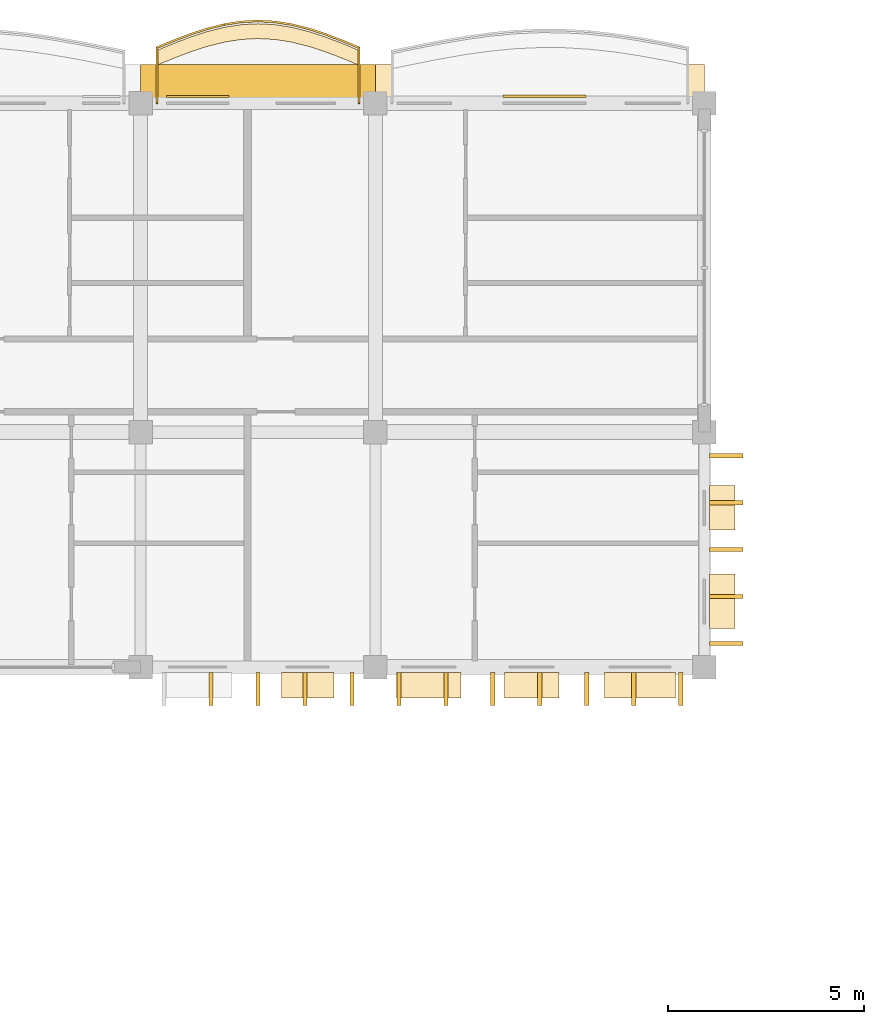
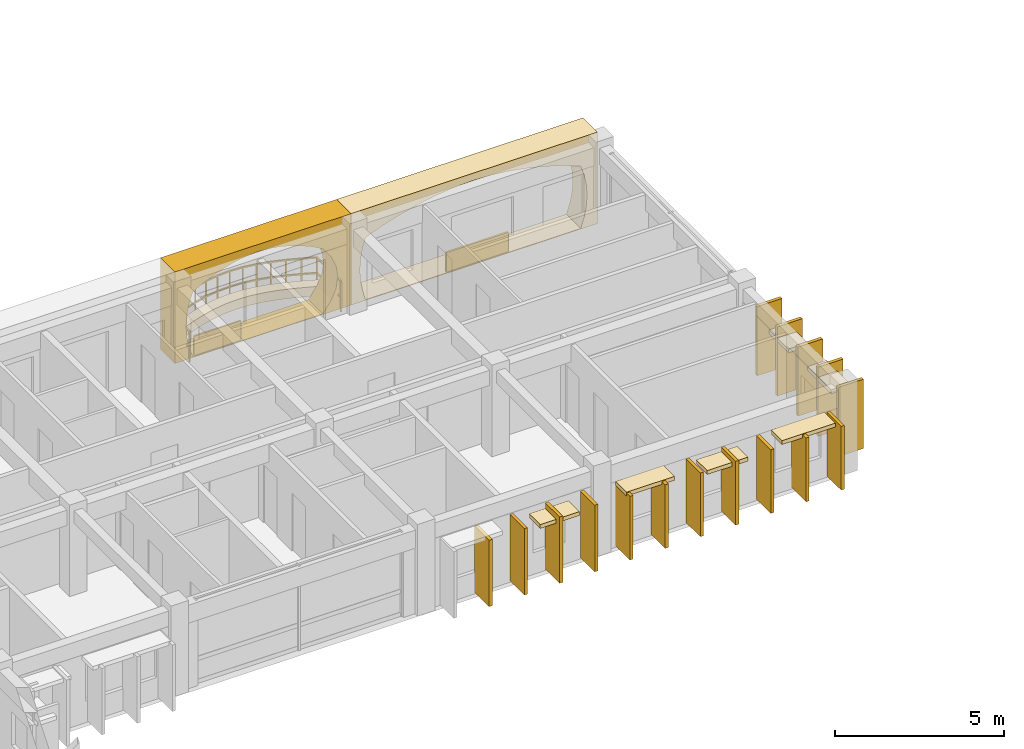
# One storey, part 56 of 68: 27 coverings, 1 railing.
"""IFC4 building model written with IfcOpenShell, lengths in metres."""

from ifc_helpers import new_model, si_unit, direction, frame, origin, origin_2d, place, context, subcontext, project, spatial, polyline, rectangle, outline, extrude, material, layer, layer_set, type_object, element, save


model = new_model("IFC4")

# Units and contexts
model_context = context("Model", 3, precision=1e-05, world=origin(), true_north=direction((0.0, 1.0)))
body_context = subcontext(model_context, "Body", "Model", "MODEL_VIEW")
ifc_project = project(units=[si_unit("LENGTHUNIT", "METRE"), si_unit("AREAUNIT", "SQUARE_METRE"), si_unit("VOLUMEUNIT", "CUBIC_METRE"), si_unit("PLANEANGLEUNIT", "RADIAN"), si_unit("MASSUNIT", "GRAM", prefix="KILO"), si_unit("THERMODYNAMICTEMPERATUREUNIT", "KELVIN")], contexts=[model_context])

# Site, building, storey
site_placement = place(None, origin())
site = spatial("IfcSite", under=ifc_project, at=site_placement, CompositionType="ELEMENT")
building_placement = place(site_placement, origin())
building = spatial("IfcBuilding", under=site, at=building_placement, Name="Thalorik Housing Commons", CompositionType="ELEMENT")
storey_placement = place(building_placement, frame((0.0, 0.0, 24.60009765625)))
storey = spatial("IfcBuildingStorey", under=building, at=storey_placement, Name="L07", CompositionType="ELEMENT", Elevation=24.60009765625)

# Coverings
ifc_material_1 = material(Name="Precast concrete C40/50", Category="concrete")
ifc_layer_1 = layer(ifc_material_1, 0.85009765625, Name="Precast concrete C40/50", Category="concrete")
ifc_layer_set_1 = layer_set([ifc_layer_1], Name="Precast concrete C40/50")
covering_type_1 = type_object("IfcCoveringType", Name="ARC-CLD-CUSH-850", PredefinedType="CLADDING", material=ifc_layer_set_1)
covering_1_placement = place(storey_placement, frame((47.39990234375, 124.16259765625, 0.0), z_axis=(0.0, 0.0, 1.0), x_axis=(-1.0, 0.0, 0.0)))
element("IfcCovering", 1, at=covering_1_placement, inside=storey, type_object=covering_type_1, Name="L07 White Precast Curved Cushion Bay Frame 759", PredefinedType="CLADDING", context=body_context, shape_type="SweptSolid", body=[
    extrude(outline(polyline([(-4.199951171875, 0.0), (4.199951171875, 0.0), (4.199951171875, 3.300048828125), (-4.199951171875, 3.300048828125), (-4.199951171875, 0.0)]), holes=[polyline([(3.70361328125, 0.02490234375), (3.808349609375, 0.399169921875), (3.871337890625, 0.773193359375), (3.89208984375, 1.1474609375), (3.871337890625, 1.521728515625), (3.808349609375, 1.895751953125), (3.70361328125, 2.27001953125), (3.092529296875, 2.50439453125), (2.481201171875, 2.6884765625), (1.8701171875, 2.837646484375), (1.259033203125, 2.948486328125), (0.64794921875, 3.016845703125), (0.036865234375, 3.0400390625), (-0.57421875, 3.016845703125), (-1.185546875, 2.948486328125), (-1.796630859375, 2.837646484375), (-2.40771484375, 2.6884765625), (-3.018798828125, 2.50439453125), (-3.6298828125, 2.27001953125), (-3.750244140625, 1.895751953125), (-3.822509765625, 1.521728515625), (-3.8466796875, 1.1474609375), (-3.822509765625, 0.773193359375), (-3.750244140625, 0.399169921875), (-3.6298828125, 0.02490234375), (3.70361328125, 0.02490234375)])]), frame((0.0, 0.425048828125, 0.0), z_axis=(0.0, -1.0, 0.0), x_axis=(1.0, 0.0, 0.0)), (0.0, 0.0, 1.0), 0.85009765625),
])
covering_2_placement = place(storey_placement, frame((40.199951171875, 124.16259765625, 0.0), z_axis=(0.0, 0.0, 1.0), x_axis=(-1.0, 0.0, 0.0)))
element("IfcCovering", 2, at=covering_2_placement, inside=storey, type_object=covering_type_1, Name="L07 White Precast Curved Cushion Bay Frame 761", PredefinedType="CLADDING", context=body_context, shape_type="SweptSolid", body=[
    extrude(outline(polyline([(-3.0, 0.0), (3.0, 0.0), (3.0, 3.300048828125), (-3.0, 3.300048828125), (-3.0, 0.0)]), holes=[polyline([(2.389892578125, 0.02490234375), (2.518798828125, 0.415771484375), (2.595947265625, 0.806640625), (2.621826171875, 1.197509765625), (2.595947265625, 1.58837890625), (2.518798828125, 1.979248046875), (2.389892578125, 2.3701171875), (2.020751953125, 2.573974609375), (1.651611328125, 2.734130859375), (1.282470703125, 2.864013671875), (0.913330078125, 2.960205078125), (0.544189453125, 3.02001953125), (0.175048828125, 3.0400390625), (-0.194091796875, 3.02001953125), (-0.563232421875, 2.960205078125), (-0.9326171875, 2.864013671875), (-1.3017578125, 2.734130859375), (-1.6708984375, 2.573974609375), (-2.0400390625, 2.3701171875), (-2.3232421875, 1.979248046875), (-2.493408203125, 1.58837890625), (-2.550048828125, 1.197509765625), (-2.493408203125, 0.806640625), (-2.3232421875, 0.415771484375), (-2.0400390625, 0.02490234375), (2.389892578125, 0.02490234375)])]), frame((0.0, 0.425048828125, 0.0), z_axis=(0.0, -1.0, 0.0), x_axis=(1.0, 0.0, 0.0)), (0.0, 0.0, 1.0), 0.85009765625),
])
ifc_layer_2 = layer(ifc_material_1, 0.85009765625, Name="Precast concrete C40/50", Category="concrete")
ifc_layer_set_2 = layer_set([ifc_layer_2], Name="Precast concrete C40/50")
covering_type_2 = type_object("IfcCoveringType", Name="ARC-CLD-FIN-850", PredefinedType="CLADDING", material=ifc_layer_set_2)
for number, where, z_axis, x_axis, name in (
    (3, (39.0, 108.637451171875, 0.039794921875), (0.0, 0.0, 1.0), (1.0, 0.0, 0.0), "L07 Courtyard Precast Vertical Brise-Soleil Fin 736"),
    (4, (40.199951171875, 108.637451171875, 0.039794921875), (0.0, 0.0, 1.0), (1.0, 0.0, 0.0), "L07 Courtyard Precast Vertical Brise-Soleil Fin 737"),
    (5, (41.39990234375, 108.637451171875, 0.039794921875), (0.0, 0.0, 1.0), (1.0, 0.0, 0.0), "L07 Courtyard Precast Vertical Brise-Soleil Fin 738"),
    (6, (42.60009765625, 108.637451171875, 0.039794921875), (0.0, 0.0, 1.0), (1.0, 0.0, 0.0), "L07 Courtyard Precast Vertical Brise-Soleil Fin 739"),
):
    element("IfcCovering", number, at=place(storey_placement, frame(where, z_axis=z_axis, x_axis=x_axis)), inside=storey, type_object=covering_type_2, Name=name, PredefinedType="CLADDING", context=body_context, shape_type="SweptSolid", body=[
        extrude(rectangle(XDim=0.110107421875, YDim=0.85009765625, at=origin_2d()), origin(), (0.0, 0.0, 1.0), 2.39501953125),
    ])
for number, where, z_axis, x_axis, name in (
    (7, (43.800048828125, 108.637451171875, 0.0400390625), (0.0, 0.0, 1.0), (1.0, 0.0, 0.0), "L07 Courtyard Precast Vertical Brise-Soleil Fin 742"),
    (8, (45.0, 108.637451171875, 0.0400390625), (0.0, 0.0, 1.0), (1.0, 0.0, 0.0), "L07 Courtyard Precast Vertical Brise-Soleil Fin 743"),
    (9, (46.199951171875, 108.637451171875, 0.0400390625), (0.0, 0.0, 1.0), (1.0, 0.0, 0.0), "L07 Courtyard Precast Vertical Brise-Soleil Fin 744"),
    (10, (47.39990234375, 108.637451171875, 0.0400390625), (0.0, 0.0, 1.0), (1.0, 0.0, 0.0), "L07 Courtyard Precast Vertical Brise-Soleil Fin 745"),
    (11, (48.60009765625, 108.637451171875, 0.0400390625), (0.0, 0.0, 1.0), (1.0, 0.0, 0.0), "L07 Courtyard Precast Vertical Brise-Soleil Fin 746"),
    (12, (49.800048828125, 108.637451171875, 0.0400390625), (0.0, 0.0, 1.0), (1.0, 0.0, 0.0), "L07 Courtyard Precast Vertical Brise-Soleil Fin 747"),
    (13, (51.0, 108.637451171875, 0.0400390625), (0.0, 0.0, 1.0), (1.0, 0.0, 0.0), "L07 Courtyard Precast Vertical Brise-Soleil Fin 748"),
):
    element("IfcCovering", number, at=place(storey_placement, frame(where, z_axis=z_axis, x_axis=x_axis)), inside=storey, type_object=covering_type_2, Name=name, PredefinedType="CLADDING", context=body_context, shape_type="SweptSolid", body=[
        extrude(rectangle(XDim=0.110107421875, YDim=0.85009765625, at=origin_2d()), origin(), (0.0, 0.0, 1.0), 2.294921875),
    ])
for number, where, z_axis, x_axis, name in (
    (14, (52.16259765625, 109.800048828125, 0.039794921875), (0.0, 0.0, 1.0), (0.0, 1.0, 0.0), "L07 Courtyard Precast Vertical Brise-Soleil Fin 752"),
    (15, (52.16259765625, 111.0, 0.039794921875), (0.0, 0.0, 1.0), (0.0, 1.0, 0.0), "L07 Courtyard Precast Vertical Brise-Soleil Fin 753"),
    (16, (52.16259765625, 112.199951171875, 0.039794921875), (0.0, 0.0, 1.0), (0.0, 1.0, 0.0), "L07 Courtyard Precast Vertical Brise-Soleil Fin 754"),
    (17, (52.16259765625, 113.39990234375, 0.039794921875), (0.0, 0.0, 1.0), (0.0, 1.0, 0.0), "L07 Courtyard Precast Vertical Brise-Soleil Fin 755"),
    (18, (52.16259765625, 114.60009765625, 0.039794921875), (0.0, 0.0, 1.0), (0.0, 1.0, 0.0), "L07 Courtyard Precast Vertical Brise-Soleil Fin 756"),
):
    element("IfcCovering", number, at=place(storey_placement, frame(where, z_axis=z_axis, x_axis=x_axis)), inside=storey, type_object=covering_type_2, Name=name, PredefinedType="CLADDING", context=body_context, shape_type="SweptSolid", body=[
        extrude(rectangle(XDim=0.110107421875, YDim=0.85009765625, at=origin_2d()), origin(), (0.0, 0.0, 1.0), 2.4951171875),
    ])
ifc_layer_3 = layer(ifc_material_1, 0.64990234375, Name="Precast concrete C40/50", Category="concrete")
ifc_layer_set_3 = layer_set([ifc_layer_3], Name="Precast concrete C40/50")
covering_type_3 = type_object("IfcCoveringType", Name="ARC-CLD-HOOD-650", PredefinedType="CLADDING", material=ifc_layer_set_3)
covering_3_placement = place(storey_placement, frame((41.469970703125, 108.737548828125, 2.08984375), z_axis=(0.0, 0.0, 1.0), x_axis=(1.0, 0.0, 0.0)))
element("IfcCovering", 19, at=covering_3_placement, inside=storey, type_object=covering_type_3, Name="L07 Courtyard Precast Window Sun-Hood 741", PredefinedType="CLADDING", context=body_context, shape_type="SweptSolid", body=[
    extrude(rectangle(XDim=1.340087890625, YDim=0.64990234375, at=origin_2d()), origin(), (0.0, 0.0, 1.0), 0.139892578125),
])
covering_4_placement = place(storey_placement, frame((44.5625, 108.737548828125, 2.22509765625), z_axis=(0.0, 0.0, 1.0), x_axis=(1.0, 0.0, 0.0)))
element("IfcCovering", 20, at=covering_4_placement, inside=storey, type_object=covering_type_3, Name="L07 Courtyard Precast Window Sun-Hood 749", PredefinedType="CLADDING", context=body_context, shape_type="SweptSolid", body=[
    extrude(rectangle(XDim=1.639892578125, YDim=0.64990234375, at=origin_2d()), origin(), (0.0, 0.0, 1.0), 0.139892578125),
])
covering_5_placement = place(storey_placement, frame((47.188720703125, 108.737548828125, 2.0400390625), z_axis=(0.0, 0.0, 1.0), x_axis=(1.0, 0.0, 0.0)))
element("IfcCovering", 21, at=covering_5_placement, inside=storey, type_object=covering_type_3, Name="L07 Courtyard Precast Window Sun-Hood 750", PredefinedType="CLADDING", context=body_context, shape_type="SweptSolid", body=[
    extrude(rectangle(XDim=1.389892578125, YDim=0.64990234375, at=origin_2d()), origin(), (0.0, 0.0, 1.0), 0.139892578125),
])
covering_6_placement = place(storey_placement, frame((49.956298828125, 108.737548828125, 2.22509765625), z_axis=(0.0, 0.0, 1.0), x_axis=(1.0, 0.0, 0.0)))
element("IfcCovering", 22, at=covering_6_placement, inside=storey, type_object=covering_type_3, Name="L07 Courtyard Precast Window Sun-Hood 751", PredefinedType="CLADDING", context=body_context, shape_type="SweptSolid", body=[
    extrude(rectangle(XDim=1.820068359375, YDim=0.64990234375, at=origin_2d()), origin(), (0.0, 0.0, 1.0), 0.139892578125),
])
covering_7_placement = place(storey_placement, frame((52.0625, 110.87548828125, 2.0400390625), z_axis=(0.0, 0.0, 1.0), x_axis=(0.0, 1.0, 0.0)))
element("IfcCovering", 23, at=covering_7_placement, inside=storey, type_object=covering_type_3, Name="L07 Courtyard Precast Window Sun-Hood 757", PredefinedType="CLADDING", context=body_context, shape_type="SweptSolid", body=[
    extrude(rectangle(XDim=1.389892578125, YDim=0.64990234375, at=origin_2d()), origin(), (0.0, 0.0, 1.0), 0.139892578125),
])
covering_8_placement = place(storey_placement, frame((52.0625, 113.26513671875, 1.98974609375), z_axis=(0.0, 0.0, 1.0), x_axis=(0.0, 1.0, 0.0)))
element("IfcCovering", 24, at=covering_8_placement, inside=storey, type_object=covering_type_3, Name="L07 Courtyard Precast Window Sun-Hood 758", PredefinedType="CLADDING", context=body_context, shape_type="SweptSolid", body=[
    extrude(rectangle(XDim=1.139892578125, YDim=0.64990234375, at=origin_2d()), origin(), (0.0, 0.0, 1.0), 0.139892578125),
])
ifc_material_2 = material(Name="Terracotta red mineral fibre-cement panel", Category="masonry")
ifc_layer_4 = layer(ifc_material_2, 0.054931640625, Name="Terracotta red mineral fibre-cement panel", Category="masonry")
ifc_layer_set_4 = layer_set([ifc_layer_4], Name="Terracotta red mineral fibre-cement panel")
covering_type_4 = type_object("IfcCoveringType", Name="ARC-CLD-RED-55", PredefinedType="CLADDING", material=ifc_layer_set_4)
covering_9_placement = place(storey_placement, frame((38.659912109375, 123.77001953125, 0.0498046875), z_axis=(0.0, 0.0, 1.0), x_axis=(-1.0, 0.0, 0.0)))
element("IfcCovering", 25, at=covering_9_placement, inside=storey, type_object=covering_type_4, Name="L07 De Stijl Recessed Window Spandrel 762", PredefinedType="CLADDING", context=body_context, shape_type="SweptSolid", body=[
    extrude(rectangle(XDim=1.60009765625, YDim=0.054931640625, at=origin_2d()), origin(), (0.0, 0.0, 1.0), 0.699951171875),
])
ifc_material_3 = material(Name="Mineral ochre architectural terracotta panel", Category="masonry")
ifc_layer_5 = layer(ifc_material_3, 0.06494140625, Name="Mineral ochre architectural terracotta panel", Category="masonry")
ifc_layer_set_5 = layer_set([ifc_layer_5], Name="Mineral ochre architectural terracotta panel")
covering_type_5 = type_object("IfcCoveringType", Name="ARC-CLD-YEL-65", PredefinedType="CLADDING", material=ifc_layer_set_5)
covering_10_placement = place(storey_placement, frame((47.516357421875, 123.77490234375, 0.0498046875), z_axis=(0.0, 0.0, 1.0), x_axis=(-1.0, 0.0, 0.0)))
element("IfcCovering", 26, at=covering_10_placement, inside=storey, type_object=covering_type_5, Name="L07 De Stijl Recessed Window Spandrel 760", PredefinedType="CLADDING", context=body_context, shape_type="SweptSolid", body=[
    extrude(rectangle(XDim=2.1201171875, YDim=0.06494140625, at=origin_2d()), origin(), (0.0, 0.0, 1.0), 0.699951171875),
])
ifc_material_4 = material(Name="Planted vegetated substrate and terracotta trough", Category="masonry")
ifc_layer_6 = layer(ifc_material_4, 0.340087890625, Name="Planted vegetated substrate and terracotta trough", Category="masonry")
ifc_layer_set_6 = layer_set([ifc_layer_6], Name="Planted vegetated substrate and terracotta trough")
covering_type_6 = type_object("IfcCoveringType", Name="ARC-COV-PLANTER", PredefinedType="USERDEFINED", material=ifc_layer_set_6)
covering_11_placement = place(storey_placement, origin())
element("IfcCovering", 27, at=covering_11_placement, inside=storey, type_object=covering_type_6, Name="L07 Balcony Slab-Edge Planted Trough 5366", ObjectType="PLANTER", PredefinedType="USERDEFINED", context=body_context, shape_type="SweptSolid", body=[
    extrude(outline(polyline([(42.780029296875, 124.9501953125), (42.35009765625, 125.127685546875), (41.919921875, 125.2919921875), (41.489990234375, 125.432373046875), (41.06005859375, 125.539794921875), (40.6298828125, 125.607177734375), (40.199951171875, 125.6298828125), (39.77001953125, 125.607177734375), (39.340087890625, 125.539794921875), (38.909912109375, 125.432373046875), (38.47998046875, 125.2919921875), (38.050048828125, 125.127685546875), (37.6201171875, 124.9501953125), (37.6201171875, 124.5703125), (38.050048828125, 124.747802734375), (38.47998046875, 124.912109375), (38.909912109375, 125.052490234375), (39.340087890625, 125.15966796875), (39.77001953125, 125.22705078125), (40.199951171875, 125.25), (40.6298828125, 125.22705078125), (41.06005859375, 125.15966796875), (41.489990234375, 125.052490234375), (41.919921875, 124.912109375), (42.35009765625, 124.747802734375), (42.780029296875, 124.5703125), (42.780029296875, 124.9501953125)])), origin(), (0.0, 0.0, 1.0), 0.33984375),
])

# Railing
ifc_material_5 = material(Name="Steel S355", Category="steel")
railing_type = type_object("IfcRailingType", Name="ARC-RL-BAL-112", PredefinedType="BALUSTRADE", material=ifc_material_5)
railing_placement = place(storey_placement, frame((42.780029296875, 123.60009765625, 0.0)))
element("IfcRailing", 28, at=railing_placement, inside=storey, type_object=railing_type, Name="L07 Cushion Balcony Guardrail 50", PredefinedType="BALUSTRADE", context=body_context, shape_type="SweptSolid", body=[
    extrude(rectangle(XDim=0.050048828125, YDim=0.050048828125, at=origin_2d()), frame((0.0, 0.0, 1.09521484375), z_axis=(0.0, 1.0, 0.0), x_axis=(-1.0, 0.0, 0.0)), (0.0, 0.0, 1.0), 1.420166015625),
    extrude(rectangle(XDim=0.050048828125, YDim=0.050048828125, at=origin_2d()), frame((0.0, 0.0, 0.53515625), z_axis=(0.0, 1.0, 0.0), x_axis=(-1.0, 0.0, 0.0)), (0.0, 0.0, 1.0), 1.420166015625),
    extrude(rectangle(XDim=0.050048828125, YDim=0.050048828125, at=origin_2d()), frame((0.0, 1.420166015625, 1.09521484375), z_axis=(-0.924329857015, 0.381594438416, 0.0), x_axis=(-0.381594438416, -0.924329857015, 0.0)), (0.0, 0.0, 1.0), 0.465087890625),
    extrude(rectangle(XDim=0.050048828125, YDim=0.050048828125, at=origin_2d()), frame((0.0, 1.420166015625, 0.53515625), z_axis=(-0.924329857015, 0.381594438416, 0.0), x_axis=(-0.381594438416, -0.924329857015, 0.0)), (0.0, 0.0, 1.0), 0.465087890625),
    extrude(rectangle(XDim=0.050048828125, YDim=0.050048828125, at=origin_2d()), frame((-0.429931640625, 1.59765625, 1.09521484375), z_axis=(-0.934176620096, 0.356810933782, 0.0), x_axis=(-0.356810933782, -0.934176620096, 0.0)), (0.0, 0.0, 1.0), 0.46044921875),
    extrude(rectangle(XDim=0.050048828125, YDim=0.050048828125, at=origin_2d()), frame((-0.429931640625, 1.59765625, 0.53515625), z_axis=(-0.934176620096, 0.356810933782, 0.0), x_axis=(-0.356810933782, -0.934176620096, 0.0)), (0.0, 0.0, 1.0), 0.46044921875),
    extrude(rectangle(XDim=0.050048828125, YDim=0.050048828125, at=origin_2d()), frame((-0.860107421875, 1.761962890625, 1.09521484375), z_axis=(-0.950608707094, 0.310391826564, 0.0), x_axis=(-0.310391826564, -0.950608707094, 0.0)), (0.0, 0.0, 1.0), 0.4521484375),
    extrude(rectangle(XDim=0.050048828125, YDim=0.050048828125, at=origin_2d()), frame((-0.860107421875, 1.761962890625, 0.53515625), z_axis=(-0.950608707094, 0.310391826564, 0.0), x_axis=(-0.310391826564, -0.950608707094, 0.0)), (0.0, 0.0, 1.0), 0.4521484375),
    extrude(rectangle(XDim=0.050048828125, YDim=0.050048828125, at=origin_2d()), frame((-1.2900390625, 1.90234375, 1.09521484375), z_axis=(-0.970304341289, 0.241887340049, 0.0), x_axis=(-0.241887340049, -0.970304341289, 0.0)), (0.0, 0.0, 1.0), 0.443115234375),
    extrude(rectangle(XDim=0.050048828125, YDim=0.050048828125, at=origin_2d()), frame((-1.2900390625, 1.90234375, 0.53515625), z_axis=(-0.970304341289, 0.241887340049, 0.0), x_axis=(-0.241887340049, -0.970304341289, 0.0)), (0.0, 0.0, 1.0), 0.443115234375),
    extrude(rectangle(XDim=0.050048828125, YDim=0.050048828125, at=origin_2d()), frame((-1.719970703125, 2.009521484375, 1.09521484375), z_axis=(-0.987953166111, 0.154753163364, 0.0), x_axis=(-0.154753163364, -0.987953166111, 0.0)), (0.0, 0.0, 1.0), 0.435302734375),
    extrude(rectangle(XDim=0.050048828125, YDim=0.050048828125, at=origin_2d()), frame((-1.719970703125, 2.009521484375, 0.53515625), z_axis=(-0.987953166111, 0.154753163364, 0.0), x_axis=(-0.154753163364, -0.987953166111, 0.0)), (0.0, 0.0, 1.0), 0.435302734375),
    extrude(rectangle(XDim=0.050048828125, YDim=0.050048828125, at=origin_2d()), frame((-2.150146484375, 2.076904296875, 1.09521484375), z_axis=(-0.998578391094, 0.053302878343, 0.0), x_axis=(-0.053302878343, -0.998578391094, 0.0)), (0.0, 0.0, 1.0), 0.4306640625),
    extrude(rectangle(XDim=0.050048828125, YDim=0.050048828125, at=origin_2d()), frame((-2.150146484375, 2.076904296875, 0.53515625), z_axis=(-0.998578391094, 0.053302878343, 0.0), x_axis=(-0.053302878343, -0.998578391094, 0.0)), (0.0, 0.0, 1.0), 0.4306640625),
    extrude(rectangle(XDim=0.050048828125, YDim=0.050048828125, at=origin_2d()), frame((-2.580078125, 2.099853515625, 1.09521484375), z_axis=(-0.998578391094, -0.053302878343, 0.0), x_axis=(0.053302878343, -0.998578391094, 0.0)), (0.0, 0.0, 1.0), 0.4306640625),
    extrude(rectangle(XDim=0.050048828125, YDim=0.050048828125, at=origin_2d()), frame((-2.580078125, 2.099853515625, 0.53515625), z_axis=(-0.998578391094, -0.053302878343, 0.0), x_axis=(0.053302878343, -0.998578391094, 0.0)), (0.0, 0.0, 1.0), 0.4306640625),
    extrude(rectangle(XDim=0.050048828125, YDim=0.050048828125, at=origin_2d()), frame((-3.010009765625, 2.076904296875, 1.09521484375), z_axis=(-0.987939727001, -0.154838935067, 0.0), x_axis=(0.154838935067, -0.987939727001, 0.0)), (0.0, 0.0, 1.0), 0.43505859375),
    extrude(rectangle(XDim=0.050048828125, YDim=0.050048828125, at=origin_2d()), frame((-3.010009765625, 2.076904296875, 0.53515625), z_axis=(-0.987939727001, -0.154838935067, 0.0), x_axis=(0.154838935067, -0.987939727001, 0.0)), (0.0, 0.0, 1.0), 0.43505859375),
    extrude(rectangle(XDim=0.050048828125, YDim=0.050048828125, at=origin_2d()), frame((-3.43994140625, 2.009521484375, 1.09521484375), z_axis=(-0.970336553959, -0.241758085805, 0.0), x_axis=(0.241758085805, -0.970336553959, 0.0)), (0.0, 0.0, 1.0), 0.443359375),
    extrude(rectangle(XDim=0.050048828125, YDim=0.050048828125, at=origin_2d()), frame((-3.43994140625, 2.009521484375, 0.53515625), z_axis=(-0.970336553959, -0.241758085805, 0.0), x_axis=(0.241758085805, -0.970336553959, 0.0)), (0.0, 0.0, 1.0), 0.443359375),
    extrude(rectangle(XDim=0.050048828125, YDim=0.050048828125, at=origin_2d()), frame((-3.8701171875, 1.90234375, 1.09521484375), z_axis=(-0.950608707094, -0.310391826564, 0.0), x_axis=(0.310391826564, -0.950608707094, 0.0)), (0.0, 0.0, 1.0), 0.4521484375),
    extrude(rectangle(XDim=0.050048828125, YDim=0.050048828125, at=origin_2d()), frame((-3.8701171875, 1.90234375, 0.53515625), z_axis=(-0.950608707094, -0.310391826564, 0.0), x_axis=(0.310391826564, -0.950608707094, 0.0)), (0.0, 0.0, 1.0), 0.4521484375),
    extrude(rectangle(XDim=0.050048828125, YDim=0.050048828125, at=origin_2d()), frame((-4.300048828125, 1.761962890625, 1.09521484375), z_axis=(-0.934109070597, -0.356987736804, 0.0), x_axis=(0.356987736804, -0.934109070597, 0.0)), (0.0, 0.0, 1.0), 0.460205078125),
    extrude(rectangle(XDim=0.050048828125, YDim=0.050048828125, at=origin_2d()), frame((-4.300048828125, 1.761962890625, 0.53515625), z_axis=(-0.934109070597, -0.356987736804, 0.0), x_axis=(0.356987736804, -0.934109070597, 0.0)), (0.0, 0.0, 1.0), 0.460205078125),
    extrude(rectangle(XDim=0.050048828125, YDim=0.050048828125, at=origin_2d()), frame((-4.72998046875, 1.59765625, 1.09521484375), z_axis=(-0.924329857015, -0.381594438416, 0.0), x_axis=(0.381594438416, -0.924329857015, 0.0)), (0.0, 0.0, 1.0), 0.465087890625),
    extrude(rectangle(XDim=0.050048828125, YDim=0.050048828125, at=origin_2d()), frame((-4.72998046875, 1.59765625, 0.53515625), z_axis=(-0.924329857015, -0.381594438416, 0.0), x_axis=(0.381594438416, -0.924329857015, 0.0)), (0.0, 0.0, 1.0), 0.465087890625),
    extrude(rectangle(XDim=0.050048828125, YDim=0.050048828125, at=origin_2d()), frame((-5.159912109375, 1.420166015625, 1.09521484375), z_axis=(0.0, -1.0, 0.0), x_axis=(1.0, 0.0, 0.0)), (0.0, 0.0, 1.0), 1.420166015625),
    extrude(rectangle(XDim=0.050048828125, YDim=0.050048828125, at=origin_2d()), frame((-5.159912109375, 1.420166015625, 0.53515625), z_axis=(0.0, -1.0, 0.0), x_axis=(1.0, 0.0, 0.0)), (0.0, 0.0, 1.0), 1.420166015625),
    extrude(rectangle(XDim=0.0419921875, YDim=0.0419921875, at=origin_2d()), origin(), (0.0, 0.0, 1.0), 1.070068359375),
    extrude(rectangle(XDim=0.0419921875, YDim=0.0419921875, at=origin_2d()), frame((0.0, 1.420166015625, 0.0)), (0.0, 0.0, 1.0), 1.070068359375),
    extrude(rectangle(XDim=0.0419921875, YDim=0.0419921875, at=origin_2d()), frame((-0.429931640625, 1.59765625, 0.0)), (0.0, 0.0, 1.0), 1.070068359375),
    extrude(rectangle(XDim=0.0419921875, YDim=0.0419921875, at=origin_2d()), frame((-0.860107421875, 1.761962890625, 0.0)), (0.0, 0.0, 1.0), 1.070068359375),
    extrude(rectangle(XDim=0.0419921875, YDim=0.0419921875, at=origin_2d()), frame((-1.2900390625, 1.90234375, 0.0)), (0.0, 0.0, 1.0), 1.070068359375),
    extrude(rectangle(XDim=0.0419921875, YDim=0.0419921875, at=origin_2d()), frame((-1.719970703125, 2.009521484375, 0.0)), (0.0, 0.0, 1.0), 1.070068359375),
    extrude(rectangle(XDim=0.0419921875, YDim=0.0419921875, at=origin_2d()), frame((-2.150146484375, 2.076904296875, 0.0)), (0.0, 0.0, 1.0), 1.070068359375),
    extrude(rectangle(XDim=0.0419921875, YDim=0.0419921875, at=origin_2d()), frame((-2.580078125, 2.099853515625, 0.0)), (0.0, 0.0, 1.0), 1.070068359375),
    extrude(rectangle(XDim=0.0419921875, YDim=0.0419921875, at=origin_2d()), frame((-3.010009765625, 2.076904296875, 0.0)), (0.0, 0.0, 1.0), 1.070068359375),
    extrude(rectangle(XDim=0.0419921875, YDim=0.0419921875, at=origin_2d()), frame((-3.43994140625, 2.009521484375, 0.0)), (0.0, 0.0, 1.0), 1.070068359375),
    extrude(rectangle(XDim=0.0419921875, YDim=0.0419921875, at=origin_2d()), frame((-3.8701171875, 1.90234375, 0.0)), (0.0, 0.0, 1.0), 1.070068359375),
    extrude(rectangle(XDim=0.0419921875, YDim=0.0419921875, at=origin_2d()), frame((-4.300048828125, 1.761962890625, 0.0)), (0.0, 0.0, 1.0), 1.070068359375),
    extrude(rectangle(XDim=0.0419921875, YDim=0.0419921875, at=origin_2d()), frame((-4.72998046875, 1.59765625, 0.0)), (0.0, 0.0, 1.0), 1.070068359375),
    extrude(rectangle(XDim=0.0419921875, YDim=0.0419921875, at=origin_2d()), frame((-5.159912109375, 1.420166015625, 0.0)), (0.0, 0.0, 1.0), 1.070068359375),
    extrude(rectangle(XDim=0.0419921875, YDim=0.0419921875, at=origin_2d()), frame((-5.159912109375, 0.0, 0.0)), (0.0, 0.0, 1.0), 1.070068359375),
])

save(model, "model.ifc")
